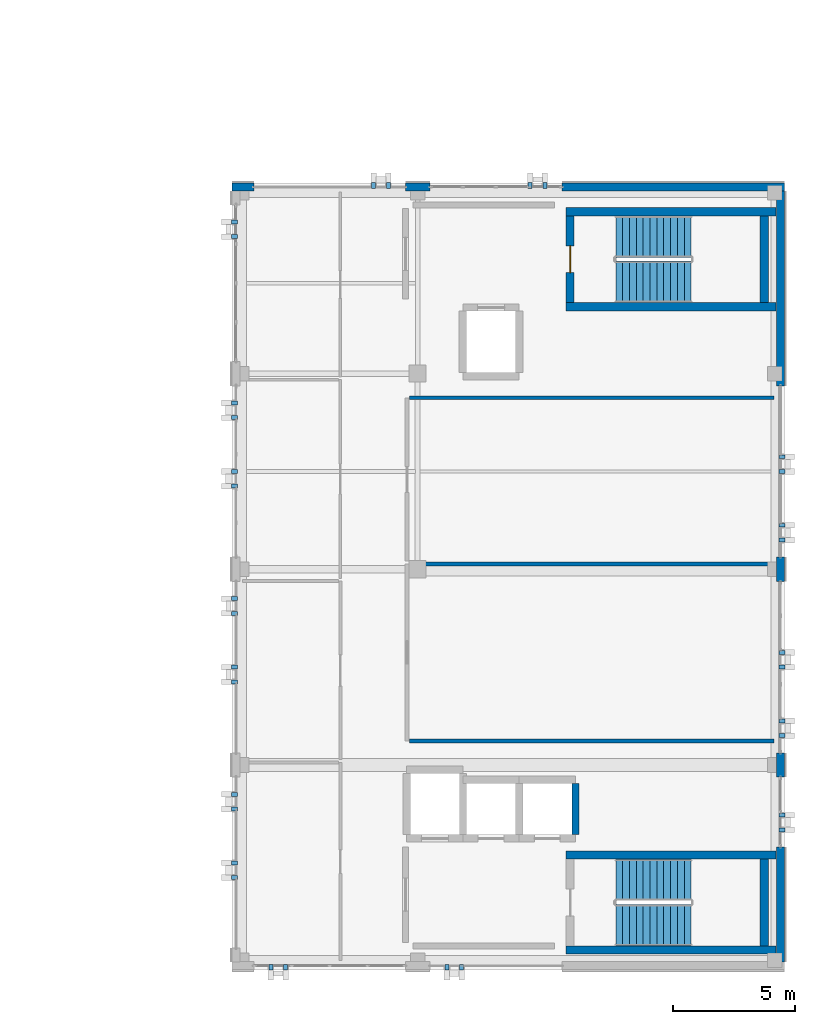
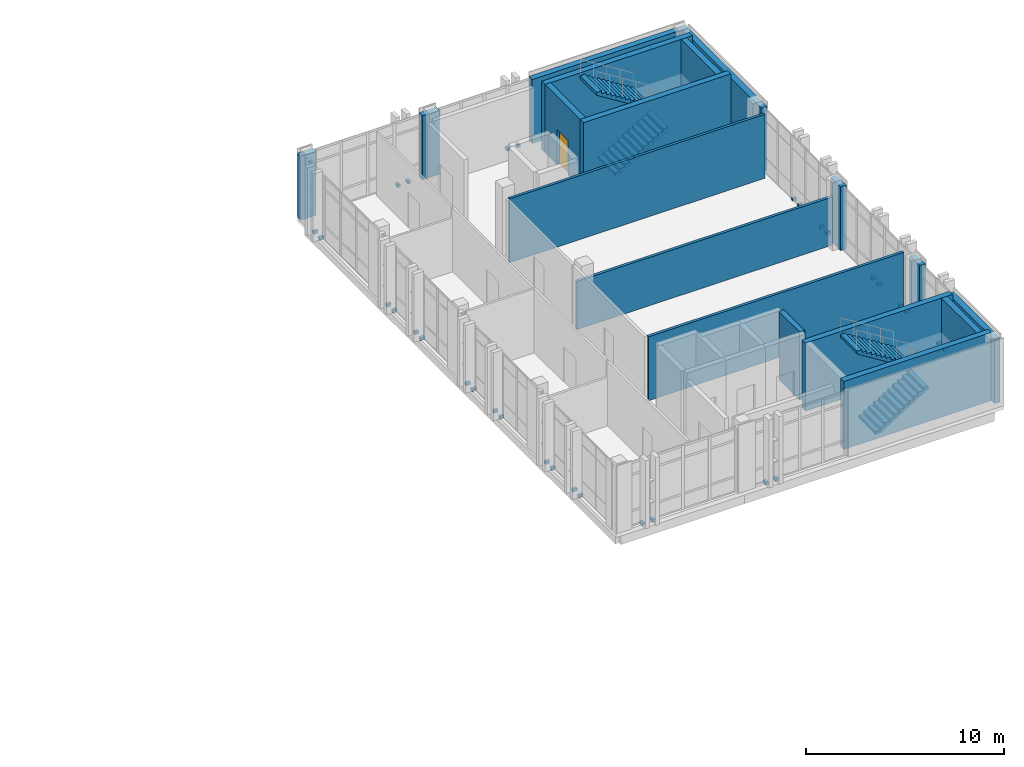
# One storey, part 18 of 22: 32 discrete accessories, 18 walls, 4 stair flights, 1 door, 1 opening, 2 elements without a shape of their own.
"""IFC4 building model written with IfcOpenShell, lengths in metres."""

from ifc_helpers import new_model, si_unit, direction, frame, frame_2d, origin, origin_2d, place, context, subcontext, project, spatial, polyline, rectangle, outline, extrude, material, layer, layer_set, type_object, element, fill, aggregate, save


model = new_model("IFC4")

# Units and contexts
model_context = context("Model", 3, precision=1e-05, world=origin(), true_north=direction((0.0, 1.0)))
body_context = subcontext(model_context, "Body", "Model", "MODEL_VIEW")
ifc_project = project(units=[si_unit("LENGTHUNIT", "METRE"), si_unit("AREAUNIT", "SQUARE_METRE"), si_unit("VOLUMEUNIT", "CUBIC_METRE"), si_unit("PLANEANGLEUNIT", "RADIAN"), si_unit("MASSUNIT", "GRAM", prefix="KILO")], contexts=[model_context])

# Site, building, storey
site_placement = place(None, origin())
site = spatial("IfcSite", under=ifc_project, at=site_placement, CompositionType="ELEMENT")
building_placement = place(site_placement, origin())
building = spatial("IfcBuilding", under=site, at=building_placement, Name="Qalavern Law Courts", CompositionType="ELEMENT")
storey_placement = place(building_placement, frame((0.0, 0.0, 35.39990234375)))
storey = spatial("IfcBuildingStorey", under=building, at=storey_placement, Name="L08", CompositionType="ELEMENT", Elevation=35.39990234375)

# Walls
ifc_material_1 = material(Name="Concrete C40/50", Category="concrete")
ifc_layer_1 = layer(ifc_material_1, 0.340087890625)
ifc_layer_set_1 = layer_set([ifc_layer_1], Name="Concrete C40/50")
wall_type_1 = type_object("IfcWallType", Name="ENV-EW-340", PredefinedType="SOLIDWALL", material=ifc_layer_set_1)
wall_1_placement = place(storey_placement, frame((106.6298828125, 41.35498046875, 0.0), z_axis=(0.0, 0.0, 1.0), x_axis=(0.0, 1.0, 0.0)))
element("IfcWall", 1, at=wall_1_placement, inside=storey, type_object=wall_type_1, Name="V4 exterior pier wall L08 east 1", PredefinedType="SOLIDWALL", context=body_context, shape_type="SweptSolid", body=[
    extrude(rectangle(XDim=4.695068359375, YDim=0.340087890625, at=frame_2d((2.34765625, 0.0))), origin(), (0.0, 0.0, 1.0), 3.945068359375),
])
for number, where, z_axis, x_axis, name in (
    (2, (106.6298828125, 48.89990234375, 0.0), (0.0, 0.0, 1.0), (0.0, 1.0, 0.0), "V4 exterior pier wall L08 east 2"),
    (3, (106.6298828125, 56.89990234375, 0.0), (0.0, 0.0, 1.0), (0.0, 1.0, 0.0), "V4 exterior pier wall L08 east 3"),
):
    element("IfcWall", number, at=place(storey_placement, frame(where, z_axis=z_axis, x_axis=x_axis)), inside=storey, type_object=wall_type_1, Name=name, PredefinedType="SOLIDWALL", context=body_context, shape_type="SweptSolid", body=[
        extrude(rectangle(XDim=1.0, YDim=0.340087890625, at=frame_2d((0.5, 0.0))), origin(), (0.0, 0.0, 1.0), 3.945068359375),
    ])
wall_2_placement = place(storey_placement, frame((106.6298828125, 64.89990234375, 0.0), z_axis=(0.0, 0.0, 1.0), x_axis=(0.0, 1.0, 0.0)))
element("IfcWall", 4, at=wall_2_placement, inside=storey, type_object=wall_type_1, Name="V4 exterior pier wall L08 east 4", PredefinedType="SOLIDWALL", context=body_context, shape_type="SweptSolid", body=[
    extrude(rectangle(XDim=7.965087890625, YDim=0.340087890625, at=frame_2d((3.982421875, 0.0))), origin(), (0.0, 0.0, 1.0), 3.945068359375),
])
wall_3_placement = place(storey_placement, frame((106.800048828125, 73.030029296875, 0.0), z_axis=(0.0, 0.0, 1.0), x_axis=(-1.0, 0.0, 0.0)))
element("IfcWall", 5, at=wall_3_placement, inside=storey, type_object=wall_type_1, Name="V4 exterior pier wall L08 north 1", PredefinedType="SOLIDWALL", context=body_context, shape_type="SweptSolid", body=[
    extrude(rectangle(XDim=9.10009765625, YDim=0.340087890625, at=frame_2d((4.550048828125, 0.0))), origin(), (0.0, 0.0, 1.0), 3.945068359375),
])
wall_4_placement = place(storey_placement, frame((92.300048828125, 73.030029296875, 0.0), z_axis=(0.0, 0.0, 1.0), x_axis=(-1.0, 0.0, 0.0)))
element("IfcWall", 6, at=wall_4_placement, inside=storey, type_object=wall_type_1, Name="V4 exterior pier wall L08 north 2", PredefinedType="SOLIDWALL", context=body_context, shape_type="SweptSolid", body=[
    extrude(rectangle(XDim=1.0, YDim=0.340087890625, at=frame_2d((0.5, 0.0))), origin(), (0.0, 0.0, 1.0), 3.945068359375),
])
wall_5_placement = place(storey_placement, frame((85.10009765625, 73.030029296875, 0.0), z_axis=(0.0, 0.0, 1.0), x_axis=(-1.0, 0.0, 0.0)))
element("IfcWall", 7, at=wall_5_placement, inside=storey, type_object=wall_type_1, Name="V4 exterior pier wall L08 north 3", PredefinedType="SOLIDWALL", context=body_context, shape_type="SweptSolid", body=[
    extrude(rectangle(XDim=0.900146484375, YDim=0.340087890625, at=frame_2d((0.4501953125, 0.0))), origin(), (0.0, 0.0, 1.0), 3.945068359375),
])
ifc_material_2 = material(Name="Concrete C45/55", Category="concrete")
ifc_layer_2 = layer(ifc_material_2, 0.3349609375)
ifc_layer_set_2 = layer_set([ifc_layer_2], Name="Concrete C45/55")
wall_type_2 = type_object("IfcWallType", Name="INT-CW-335", PredefinedType="SHEAR", material=ifc_layer_set_2)
wall_6_placement = place(storey_placement, frame((97.864990234375, 41.83251953125, 0.0), z_axis=(0.0, 0.0, 1.0), x_axis=(1.0, 0.0, 0.0)))
element("IfcWall", 8, at=wall_6_placement, inside=storey, type_object=wall_type_2, Name="Core K1A stair shear wall L08 south", PredefinedType="SHEAR", context=body_context, shape_type="SweptSolid", body=[
    extrude(rectangle(XDim=8.592041015625, YDim=0.3349609375, at=frame_2d((4.2958984375, 0.0))), origin(), (0.0, 0.0, 1.0), 4.2001953125),
])
wall_7_placement = place(storey_placement, frame((105.967529296875, 42.0, 0.0), z_axis=(0.0, 0.0, 1.0), x_axis=(0.0, 1.0, 0.0)))
element("IfcWall", 9, at=wall_7_placement, inside=storey, type_object=wall_type_2, Name="Core K1A stair shear wall L08 east", PredefinedType="SHEAR", context=body_context, shape_type="SweptSolid", body=[
    extrude(rectangle(XDim=3.550048828125, YDim=0.3349609375, at=frame_2d((1.77490234375, 0.0))), origin(), (0.0, 0.0, 1.0), 4.2001953125),
])
for number, where, z_axis, x_axis, name in (
    (10, (106.45703125, 45.717529296875, 0.0), (0.0, 0.0, 1.0), (-1.0, 0.0, 0.0), "Core K1A stair shear wall L08 north"),
    (11, (97.864990234375, 68.132568359375, 0.0), (0.0, 0.0, 1.0), (1.0, 0.0, 0.0), "Core K1B stair shear wall L08 south"),
):
    element("IfcWall", number, at=place(storey_placement, frame(where, z_axis=z_axis, x_axis=x_axis)), inside=storey, type_object=wall_type_2, Name=name, PredefinedType="SHEAR", context=body_context, shape_type="SweptSolid", body=[
        extrude(rectangle(XDim=8.592041015625, YDim=0.3349609375, at=frame_2d((4.2958984375, 0.0))), origin(), (0.0, 0.0, 1.0), 4.2001953125),
    ])
wall_8_placement = place(storey_placement, frame((105.967529296875, 68.300048828125, 0.0), z_axis=(0.0, 0.0, 1.0), x_axis=(0.0, 1.0, 0.0)))
element("IfcWall", 12, at=wall_8_placement, inside=storey, type_object=wall_type_2, Name="Core K1B stair shear wall L08 east", PredefinedType="SHEAR", context=body_context, shape_type="SweptSolid", body=[
    extrude(rectangle(XDim=3.550048828125, YDim=0.3349609375, at=frame_2d((1.77490234375, 0.0))), origin(), (0.0, 0.0, 1.0), 4.2001953125),
])
wall_9_placement = place(storey_placement, frame((106.45703125, 72.017578125, 0.0), z_axis=(0.0, 0.0, 1.0), x_axis=(-1.0, 0.0, 0.0)))
element("IfcWall", 13, at=wall_9_placement, inside=storey, type_object=wall_type_2, Name="Core K1B stair shear wall L08 north", PredefinedType="SHEAR", context=body_context, shape_type="SweptSolid", body=[
    extrude(rectangle(XDim=8.592041015625, YDim=0.3349609375, at=frame_2d((4.2958984375, 0.0))), origin(), (0.0, 0.0, 1.0), 4.2001953125),
])

# Wall, opening, door
wall_10_placement = place(storey_placement, frame((98.032470703125, 71.85009765625, 0.0), z_axis=(0.0, 0.0, 1.0), x_axis=(0.0, -1.0, 0.0)))
wall_10 = element("IfcWall", 14, at=wall_10_placement, inside=storey, type_object=wall_type_2, Name="Core K1B stair shear wall L08 west", PredefinedType="SHEAR", context=body_context, shape_type="SweptSolid", body=[
    extrude(rectangle(XDim=3.550048828125, YDim=0.3349609375, at=frame_2d((1.77490234375, 0.0))), origin(), (0.0, 0.0, 1.0), 4.2001953125),
])
opening_placement = place(wall_10_placement, frame((1.22509765625, 0.0, 0.0)))
opening = element("IfcOpeningElement", 15, at=opening_placement, cuts=wall_10, Name="Opening L08-D045", PredefinedType="OPENING", context=body_context, shape_type="SweptSolid", body=[
    extrude(rectangle(XDim=1.10009765625, YDim=2.14990234375, at=frame_2d((0.550048828125, 1.074951171875))), frame((0.0, 0.182373046875, 0.0), z_axis=(0.0, -1.0, 0.0), x_axis=(1.0, 0.0, 0.0)), (0.0, 0.0, 1.0), 0.36474609375),
])
ifc_material_3 = material(Name="Steel fire-rated stair enclosure door", Category="steel")
door_type = type_object("IfcDoorType", Name="INT-FD-1100x2150", OperationType="NOTDEFINED", PredefinedType="DOOR", material=ifc_material_3)
door_placement = place(opening_placement, frame((1.10009765625, 0.0, 0.0), z_axis=(0.0, 0.0, 1.0), x_axis=(-1.0, 0.0, 0.0)))
door = element("IfcDoor", 16, at=door_placement, inside=storey, type_object=door_type, Name="Stair K1B fire door L08", OperationType="SINGLE_SWING_LEFT", OverallHeight=2.14990234375, OverallWidth=1.10009765625, PredefinedType="DOOR", context=body_context, shape_type="SweptSolid", body=[
    extrude(rectangle(XDim=1.10009765625, YDim=2.14990234375, at=frame_2d((0.550048828125, 1.074951171875))), frame((0.0, 0.02490234375, 0.0), z_axis=(0.0, -1.0, 0.0), x_axis=(1.0, 0.0, 0.0)), (0.0, 0.0, 1.0), 0.050048828125),
])
fill(opening, door)

# Walls
ifc_material_4 = material(Name="Gypsum stud partition")
ifc_layer_3 = layer(ifc_material_4, 0.152099609375)
ifc_layer_set_3 = layer_set([ifc_layer_3], Name="Gypsum stud partition")
wall_type_3 = type_object("IfcWallType", Name="INT-PW-152", PredefinedType="PARTITIONING", material=ifc_layer_set_3)
wall_11_placement = place(storey_placement, frame((91.4560546875, 64.409912109375, 0.0), z_axis=(0.0, 0.0, 1.0), x_axis=(1.0, 0.0, 0.0)))
element("IfcWall", 17, at=wall_11_placement, inside=storey, type_object=wall_type_3, Name="Appellate Judges' Chambers cross partition L08 north", PredefinedType="PARTITIONING", context=body_context, shape_type="SweptSolid", body=[
    extrude(rectangle(XDim=14.904052734375, YDim=0.152099609375, at=frame_2d((7.4521484375, 0.0))), origin(), (0.0, 0.0, 1.0), 3.945068359375),
])
ifc_layer_4 = layer(ifc_material_4, 0.162109375)
ifc_layer_set_4 = layer_set([ifc_layer_4], Name="Gypsum stud partition")
wall_type_4 = type_object("IfcWallType", Name="INT-PW-162", PredefinedType="PARTITIONING", material=ifc_layer_set_4)
wall_12_placement = place(storey_placement, frame((91.4609375, 50.389892578125, 0.0), z_axis=(0.0, 0.0, 1.0), x_axis=(1.0, 0.0, 0.0)))
element("IfcWall", 18, at=wall_12_placement, inside=storey, type_object=wall_type_4, Name="Accessible WC cross partition L08 south", PredefinedType="PARTITIONING", context=body_context, shape_type="SweptSolid", body=[
    extrude(rectangle(XDim=14.899169921875, YDim=0.162109375, at=frame_2d((7.44970703125, 0.0))), origin(), (0.0, 0.0, 1.0), 3.945068359375),
])
wall_13_placement = place(storey_placement, frame((91.4609375, 57.614990234375, 0.0), z_axis=(0.0, 0.0, 1.0), x_axis=(1.0, 0.0, 0.0)))
element("IfcWall", 19, at=wall_13_placement, inside=storey, type_object=wall_type_4, Name="Accessible WC cross partition L08 north", PredefinedType="PARTITIONING", context=body_context, shape_type="SweptSolid", body=[
    extrude(rectangle(XDim=14.899169921875, YDim=0.162109375, at=frame_2d((7.44970703125, 0.0))), origin(), (0.0, 0.0, 1.0), 2.97509765625),
])
ifc_layer_5 = layer(ifc_material_2, 0.304931640625)
ifc_layer_set_5 = layer_set([ifc_layer_5], Name="Concrete C45/55")
wall_type_5 = type_object("IfcWallType", Name="INT-SW-305", PredefinedType="SHEAR", material=ifc_layer_set_5)
wall_14_placement = place(storey_placement, frame((98.25244140625, 46.550048828125, 0.0), z_axis=(0.0, 0.0, 1.0), x_axis=(0.0, 1.0, 0.0)))
element("IfcWall", 20, at=wall_14_placement, inside=storey, type_object=wall_type_5, Name="Lift LF-P2 shaft wall L08 east", PredefinedType="SHEAR", context=body_context, shape_type="SweptSolid", body=[
    extrude(rectangle(XDim=2.099853515625, YDim=0.304931640625, at=frame_2d((1.0498046875, 0.0))), origin(), (0.0, 0.0, 1.0), 4.2001953125),
])

# Stair, stair flights
ifc_material_5 = material(Name="Concrete C35/45", Category="concrete")
stair_type = type_object("IfcStairType", Name="INT-STAIR-1700", PredefinedType="HALF_TURN_STAIR", material=ifc_material_5)
stair_1_placement = place(storey_placement, origin())
stair_1 = element("IfcStair", 21, at=stair_1_placement, inside=storey, type_object=stair_type, Name="L08 ST-K1A", PredefinedType="HALF_TURN_STAIR")
stair_flight_type = type_object("IfcStairFlightType", Name="INT-FLIGHT-1700", PredefinedType="STRAIGHT", material=ifc_material_5)
stair_flight_1_placement = place(storey_placement, frame((99.89990234375, 42.85009765625, 0.0), z_axis=(0.0, 0.0, 1.0), x_axis=(1.0, 0.0, 0.0)))
stair_flight_1 = element("IfcStairFlight", 22, at=stair_flight_1_placement, type_object=stair_flight_type, Name="ST-K1A flight 1", NumberOfRisers=12, NumberOfTreads=11, PredefinedType="STRAIGHT", RiserHeight=0.175, TreadLength=0.28, context=body_context, shape_type="SweptSolid", body=[
    extrude(outline(polyline([(0.0, 0.0), (0.0, 0.175048828125), (0.280029296875, 0.175048828125), (0.280029296875, 0.35009765625), (0.56005859375, 0.35009765625), (0.56005859375, 0.52490234375), (0.840087890625, 0.52490234375), (0.840087890625, 0.699951171875), (1.1201171875, 0.699951171875), (1.1201171875, 0.875), (1.39990234375, 0.875), (1.39990234375, 1.050048828125), (1.679931640625, 1.050048828125), (1.679931640625, 1.22509765625), (1.9599609375, 1.22509765625), (1.9599609375, 1.39990234375), (2.239990234375, 1.39990234375), (2.239990234375, 1.574951171875), (2.52001953125, 1.574951171875), (2.52001953125, 1.75), (2.800048828125, 1.75), (2.800048828125, 1.925048828125), (3.080078125, 1.925048828125), (3.080078125, 2.10009765625), (3.080078125, 1.748291015625), (0.28271484375, 0.0), (0.0, 0.0)])), frame((0.0, 0.85009765625, 0.0), z_axis=(0.0, -1.0, 0.0), x_axis=(1.0, 0.0, 0.0)), (0.0, 0.0, 1.0), 1.699951171875),
])
stair_flight_2_placement = place(storey_placement, frame((102.97998046875, 44.699951171875, 2.10009765625), z_axis=(0.0, 0.0, 1.0), x_axis=(-1.0, 0.0, 0.0)))
stair_flight_2 = element("IfcStairFlight", 23, at=stair_flight_2_placement, type_object=stair_flight_type, Name="ST-K1A flight 2", NumberOfRisers=12, NumberOfTreads=11, PredefinedType="STRAIGHT", RiserHeight=0.175, TreadLength=0.28, context=body_context, shape_type="SweptSolid", body=[
    extrude(outline(polyline([(0.0, 0.0), (0.0, 0.175048828125), (0.280029296875, 0.175048828125), (0.280029296875, 0.35009765625), (0.56005859375, 0.35009765625), (0.56005859375, 0.52490234375), (0.840087890625, 0.52490234375), (0.840087890625, 0.699951171875), (1.1201171875, 0.699951171875), (1.1201171875, 0.875), (1.39990234375, 0.875), (1.39990234375, 1.050048828125), (1.679931640625, 1.050048828125), (1.679931640625, 1.22509765625), (1.9599609375, 1.22509765625), (1.9599609375, 1.39990234375), (2.239990234375, 1.39990234375), (2.239990234375, 1.574951171875), (2.52001953125, 1.574951171875), (2.52001953125, 1.75), (2.800048828125, 1.75), (2.800048828125, 1.925048828125), (3.080078125, 1.925048828125), (3.080078125, 2.10009765625), (3.080078125, 1.748291015625), (0.28271484375, 0.0), (0.0, 0.0)])), frame((0.0, 0.85009765625, 0.0), z_axis=(0.0, -1.0, 0.0), x_axis=(1.0, 0.0, 0.0)), (0.0, 0.0, 1.0), 1.699951171875),
])
aggregate(stair_1, [stair_flight_1, stair_flight_2])

stair_2_placement = place(storey_placement, origin())
stair_2 = element("IfcStair", 24, at=stair_2_placement, inside=storey, type_object=stair_type, Name="L08 ST-K1B", PredefinedType="HALF_TURN_STAIR")
stair_flight_3_placement = place(storey_placement, frame((99.89990234375, 69.14990234375, 0.0), z_axis=(0.0, 0.0, 1.0), x_axis=(1.0, 0.0, 0.0)))
stair_flight_3 = element("IfcStairFlight", 25, at=stair_flight_3_placement, type_object=stair_flight_type, Name="ST-K1B flight 1", NumberOfRisers=12, NumberOfTreads=11, PredefinedType="STRAIGHT", RiserHeight=0.175, TreadLength=0.28, context=body_context, shape_type="SweptSolid", body=[
    extrude(outline(polyline([(0.0, 0.0), (0.0, 0.175048828125), (0.280029296875, 0.175048828125), (0.280029296875, 0.35009765625), (0.56005859375, 0.35009765625), (0.56005859375, 0.52490234375), (0.840087890625, 0.52490234375), (0.840087890625, 0.699951171875), (1.1201171875, 0.699951171875), (1.1201171875, 0.875), (1.39990234375, 0.875), (1.39990234375, 1.050048828125), (1.679931640625, 1.050048828125), (1.679931640625, 1.22509765625), (1.9599609375, 1.22509765625), (1.9599609375, 1.39990234375), (2.239990234375, 1.39990234375), (2.239990234375, 1.574951171875), (2.52001953125, 1.574951171875), (2.52001953125, 1.75), (2.800048828125, 1.75), (2.800048828125, 1.925048828125), (3.080078125, 1.925048828125), (3.080078125, 2.10009765625), (3.080078125, 1.748291015625), (0.28271484375, 0.0), (0.0, 0.0)])), frame((0.0, 0.85009765625, 0.0), z_axis=(0.0, -1.0, 0.0), x_axis=(1.0, 0.0, 0.0)), (0.0, 0.0, 1.0), 1.699951171875),
])
stair_flight_4_placement = place(storey_placement, frame((102.97998046875, 71.0, 2.10009765625), z_axis=(0.0, 0.0, 1.0), x_axis=(-1.0, 0.0, 0.0)))
stair_flight_4 = element("IfcStairFlight", 26, at=stair_flight_4_placement, type_object=stair_flight_type, Name="ST-K1B flight 2", NumberOfRisers=12, NumberOfTreads=11, PredefinedType="STRAIGHT", RiserHeight=0.175, TreadLength=0.28, context=body_context, shape_type="SweptSolid", body=[
    extrude(outline(polyline([(0.0, 0.0), (0.0, 0.175048828125), (0.280029296875, 0.175048828125), (0.280029296875, 0.35009765625), (0.56005859375, 0.35009765625), (0.56005859375, 0.52490234375), (0.840087890625, 0.52490234375), (0.840087890625, 0.699951171875), (1.1201171875, 0.699951171875), (1.1201171875, 0.875), (1.39990234375, 0.875), (1.39990234375, 1.050048828125), (1.679931640625, 1.050048828125), (1.679931640625, 1.22509765625), (1.9599609375, 1.22509765625), (1.9599609375, 1.39990234375), (2.239990234375, 1.39990234375), (2.239990234375, 1.574951171875), (2.52001953125, 1.574951171875), (2.52001953125, 1.75), (2.800048828125, 1.75), (2.800048828125, 1.925048828125), (3.080078125, 1.925048828125), (3.080078125, 2.10009765625), (3.080078125, 1.748291015625), (0.28271484375, 0.0), (0.0, 0.0)])), frame((0.0, 0.85009765625, 0.0), z_axis=(0.0, -1.0, 0.0), x_axis=(1.0, 0.0, 0.0)), (0.0, 0.0, 1.0), 1.699951171875),
])
aggregate(stair_2, [stair_flight_3, stair_flight_4])

# Discrete accessories
ifc_material_6 = material(Name="Steel S355", Category="steel")
discrete_accessory_type = type_object("IfcDiscreteAccessoryType", Name="ENV-BRK-FIN", PredefinedType="BRACKET", material=ifc_material_6)
for number, where, z_axis, x_axis, name in (
    (27, (85.800048828125, 41.1298828125, -0.06982421875), (0.0, 0.0, 1.0), (0.0, -1.0, 0.0), "Stone blade anchor bracket 0833"),
    (28, (86.39990234375, 41.1298828125, -0.06982421875), (0.0, 0.0, 1.0), (0.0, -1.0, 0.0), "Stone blade anchor bracket 0834"),
    (29, (93.0, 41.1298828125, -0.06982421875), (0.0, 0.0, 1.0), (0.0, -1.0, 0.0), "Stone blade anchor bracket 0835"),
    (30, (93.60009765625, 41.1298828125, -0.06982421875), (0.0, 0.0, 1.0), (0.0, -1.0, 0.0), "Stone blade anchor bracket 0836"),
    (31, (106.68994140625, 46.75, -0.06982421875), (0.0, 0.0, 1.0), (1.0, 0.0, 0.0), "Stone blade anchor bracket 0837"),
    (32, (106.68994140625, 47.35009765625, -0.06982421875), (0.0, 0.0, 1.0), (1.0, 0.0, 0.0), "Stone blade anchor bracket 0838"),
    (33, (106.68994140625, 50.60009765625, -0.06982421875), (0.0, 0.0, 1.0), (1.0, 0.0, 0.0), "Stone blade anchor bracket 0839"),
    (34, (106.68994140625, 51.199951171875, -0.06982421875), (0.0, 0.0, 1.0), (1.0, 0.0, 0.0), "Stone blade anchor bracket 0840"),
    (35, (106.68994140625, 53.39990234375, -0.06982421875), (0.0, 0.0, 1.0), (1.0, 0.0, 0.0), "Stone blade anchor bracket 0841"),
    (36, (106.68994140625, 54.0, -0.06982421875), (0.0, 0.0, 1.0), (1.0, 0.0, 0.0), "Stone blade anchor bracket 0842"),
    (37, (106.68994140625, 58.60009765625, -0.06982421875), (0.0, 0.0, 1.0), (1.0, 0.0, 0.0), "Stone blade anchor bracket 0843"),
    (38, (106.68994140625, 59.199951171875, -0.06982421875), (0.0, 0.0, 1.0), (1.0, 0.0, 0.0), "Stone blade anchor bracket 0844"),
    (39, (106.68994140625, 61.39990234375, -0.06982421875), (0.0, 0.0, 1.0), (1.0, 0.0, 0.0), "Stone blade anchor bracket 0845"),
    (40, (106.68994140625, 62.0, -0.06982421875), (0.0, 0.0, 1.0), (1.0, 0.0, 0.0), "Stone blade anchor bracket 0846"),
    (41, (97.0, 73.090087890625, -0.06982421875), (0.0, 0.0, 1.0), (0.0, 1.0, 0.0), "Stone blade anchor bracket 0847"),
    (42, (96.39990234375, 73.090087890625, -0.06982421875), (0.0, 0.0, 1.0), (0.0, 1.0, 0.0), "Stone blade anchor bracket 0848"),
    (43, (90.60009765625, 73.090087890625, -0.06982421875), (0.0, 0.0, 1.0), (0.0, 1.0, 0.0), "Stone blade anchor bracket 0849"),
    (44, (90.0, 73.090087890625, -0.06982421875), (0.0, 0.0, 1.0), (0.0, 1.0, 0.0), "Stone blade anchor bracket 0850"),
    (45, (84.31005859375, 71.60009765625, -0.06982421875), (0.0, 0.0, 1.0), (-1.0, 0.0, 0.0), "Stone blade anchor bracket 0851"),
    (46, (84.31005859375, 71.0, -0.06982421875), (0.0, 0.0, 1.0), (-1.0, 0.0, 0.0), "Stone blade anchor bracket 0852"),
    (47, (84.31005859375, 64.199951171875, -0.06982421875), (0.0, 0.0, 1.0), (-1.0, 0.0, 0.0), "Stone blade anchor bracket 0853"),
    (48, (84.31005859375, 63.60009765625, -0.06982421875), (0.0, 0.0, 1.0), (-1.0, 0.0, 0.0), "Stone blade anchor bracket 0854"),
    (49, (84.31005859375, 61.39990234375, -0.06982421875), (0.0, 0.0, 1.0), (-1.0, 0.0, 0.0), "Stone blade anchor bracket 0855"),
    (50, (84.31005859375, 60.800048828125, -0.06982421875), (0.0, 0.0, 1.0), (-1.0, 0.0, 0.0), "Stone blade anchor bracket 0856"),
    (51, (84.31005859375, 56.199951171875, -0.06982421875), (0.0, 0.0, 1.0), (-1.0, 0.0, 0.0), "Stone blade anchor bracket 0857"),
    (52, (84.31005859375, 55.60009765625, -0.06982421875), (0.0, 0.0, 1.0), (-1.0, 0.0, 0.0), "Stone blade anchor bracket 0858"),
    (53, (84.31005859375, 53.39990234375, -0.06982421875), (0.0, 0.0, 1.0), (-1.0, 0.0, 0.0), "Stone blade anchor bracket 0859"),
    (54, (84.31005859375, 52.800048828125, -0.06982421875), (0.0, 0.0, 1.0), (-1.0, 0.0, 0.0), "Stone blade anchor bracket 0860"),
    (55, (84.31005859375, 48.199951171875, -0.06982421875), (0.0, 0.0, 1.0), (-1.0, 0.0, 0.0), "Stone blade anchor bracket 0861"),
    (56, (84.31005859375, 47.60009765625, -0.06982421875), (0.0, 0.0, 1.0), (-1.0, 0.0, 0.0), "Stone blade anchor bracket 0862"),
    (57, (84.31005859375, 45.39990234375, -0.06982421875), (0.0, 0.0, 1.0), (-1.0, 0.0, 0.0), "Stone blade anchor bracket 0863"),
    (58, (84.31005859375, 44.800048828125, -0.06982421875), (0.0, 0.0, 1.0), (-1.0, 0.0, 0.0), "Stone blade anchor bracket 0864"),
):
    element("IfcDiscreteAccessory", number, at=place(storey_placement, frame(where, z_axis=z_axis, x_axis=x_axis)), inside=storey, type_object=discrete_accessory_type, Name=name, PredefinedType="BRACKET", context=body_context, shape_type="SweptSolid", body=[
        extrude(rectangle(XDim=0.239990234375, YDim=0.159912109375, at=origin_2d()), origin(), (0.0, 0.0, 1.0), 0.179931640625),
    ])

save(model, "model.ifc")
